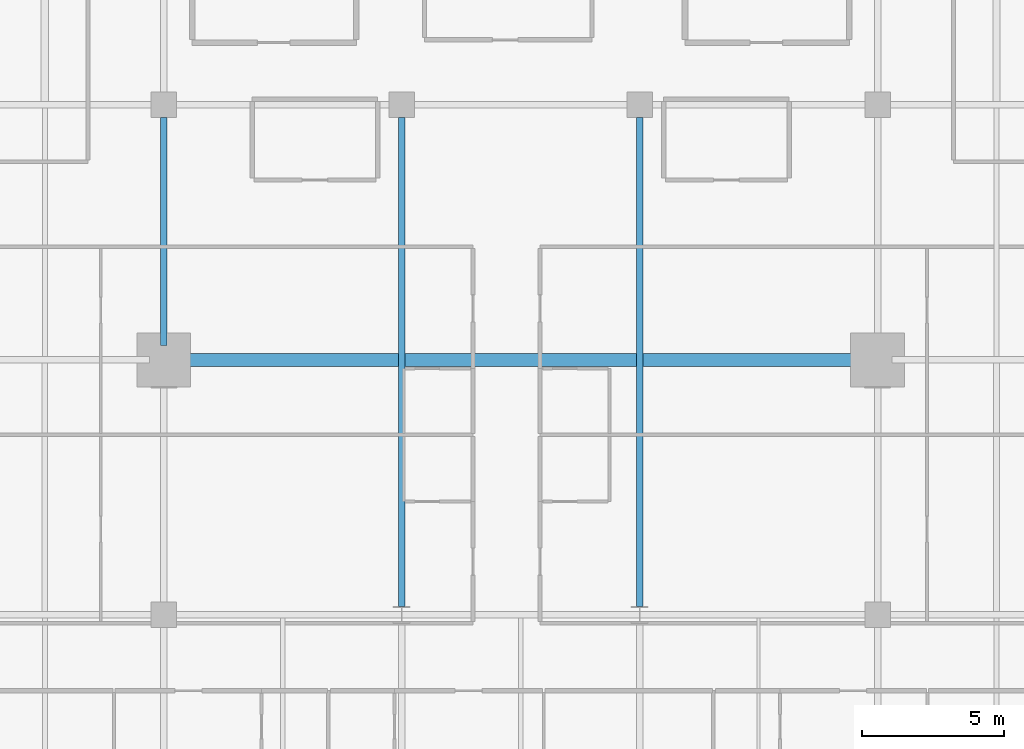
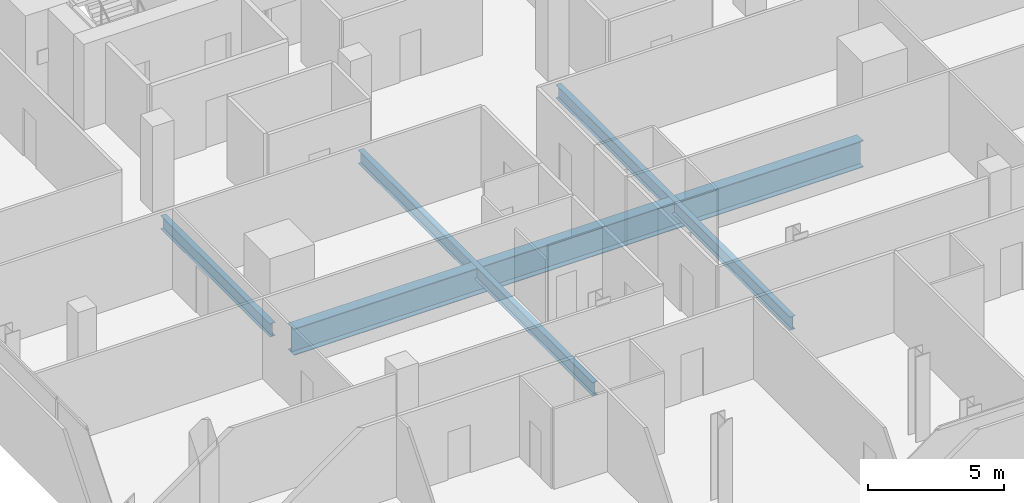
# One storey, part 11 of 32: 4 beams.
"""IFC4 building model written with IfcOpenShell, lengths in metres."""

from ifc_helpers import new_model, si_unit, direction, frame, origin, origin_2d, place, context, subcontext, project, spatial, i_section, extrude, material, material_profile, profile_set, type_object, element, save


model = new_model("IFC4")

# Units and contexts
model_context = context("Model", 3, precision=1e-05, world=origin(), true_north=direction((0.0, 1.0)))
body_context = subcontext(model_context, "Body", "Model", "MODEL_VIEW")
ifc_project = project(units=[si_unit("LENGTHUNIT", "METRE"), si_unit("AREAUNIT", "SQUARE_METRE"), si_unit("VOLUMEUNIT", "CUBIC_METRE"), si_unit("PLANEANGLEUNIT", "RADIAN"), si_unit("MASSUNIT", "GRAM", prefix="KILO")], contexts=[model_context])

# Site, building, storey
site_placement = place(None, origin())
site = spatial("IfcSite", under=ifc_project, at=site_placement, CompositionType="ELEMENT")
building_placement = place(site_placement, origin())
building = spatial("IfcBuilding", under=site, at=building_placement, Name="Maruvema Waterfront Hotel and Observation Tower", CompositionType="ELEMENT")
storey_placement = place(building_placement, frame((0.0, 0.0, 162.050048828125)))
storey = spatial("IfcBuildingStorey", under=building, at=storey_placement, Name="L39", CompositionType="ELEMENT", Elevation=162.050048828125)

# Beams
ifc_material_1 = material(Name="Steel ASTM A572 Grade 50", Category="steel")
ifc_material_profile_1 = material_profile(ifc_material_1, i_section(OverallWidth=0.22802734375, OverallDepth=0.60302734375, WebThickness=0.010498046875, FlangeThickness=0.014892578125, FilletRadius=0.01806640625, at=origin_2d()), Name="W610x101.0")
ifc_profile_set_1 = profile_set([ifc_material_profile_1], Name="Steel ASTM A572 Grade 50")
beam_type_1 = type_object("IfcBeamType", Name="Primary Floor Girder W610x101.0", PredefinedType="BEAM", material=ifc_profile_set_1)
beam_1_placement = place(storey_placement, frame((25.199951171875, 27.5, -0.54150390625), z_axis=(0.0, 1.0, 0.0), x_axis=(-1.0, 0.0, 0.0)))
element("IfcBeam", 1, at=beam_1_placement, inside=storey, type_object=beam_type_1, Name="L39 Floor Girder NS-12", PredefinedType="BEAM", context=body_context, shape_type="SweptSolid", body=[
    extrude(i_section(OverallWidth=0.22802734375, OverallDepth=0.60302734375, WebThickness=0.010498046875, FlangeThickness=0.014892578125, FilletRadius=0.01806640625, at=origin_2d()), origin(), (0.0, 0.0, 1.0), 8.050048828125),
])
for number, where, z_axis, x_axis, name in (
    (2, (33.60009765625, 18.300048828125, -0.54150390625), (0.0, 1.0, 0.0), (-1.0, 0.0, 0.0), "L39 Floor Girder NS-16"),
    (3, (42.0, 18.300048828125, -0.54150390625), (0.0, 1.0, 0.0), (-1.0, 0.0, 0.0), "L39 Floor Girder NS-19"),
):
    element("IfcBeam", number, at=place(storey_placement, frame(where, z_axis=z_axis, x_axis=x_axis)), inside=storey, type_object=beam_type_1, Name=name, PredefinedType="BEAM", context=body_context, shape_type="SweptSolid", body=[
        extrude(i_section(OverallWidth=0.22802734375, OverallDepth=0.60302734375, WebThickness=0.010498046875, FlangeThickness=0.014892578125, FilletRadius=0.01806640625, at=origin_2d()), origin(), (0.0, 0.0, 1.0), 17.25),
    ])
ifc_material_2 = material(Name="Steel ABNT NBR 7007 AR 415 (ASTM A572 Grade 50)", Category="steel")
ifc_material_profile_2 = material_profile(ifc_material_2, i_section(OverallWidth=0.449951171875, OverallDepth=1.199951171875, WebThickness=0.01904296875, FlangeThickness=0.031982421875, at=origin_2d()), Name="VS1200x366")
ifc_profile_set_2 = profile_set([ifc_material_profile_2], Name="Steel ABNT NBR 7007 AR 415 (ASTM A572 Grade 50)")
beam_type_2 = type_object("IfcBeamType", Name="Upper Setback Transfer Girder VS1200x366", PredefinedType="USERDEFINED", material=ifc_profile_set_2)
beam_2_placement = place(storey_placement, frame((25.699951171875, 27.0, -0.840087890625), z_axis=(1.0, 0.0, 0.0), x_axis=(0.0, 1.0, 0.0)))
element("IfcBeam", 4, at=beam_2_placement, inside=storey, type_object=beam_type_2, Name="L39 Floor Girder EW-20", ObjectType="TRANSFER GIRDER", PredefinedType="USERDEFINED", context=body_context, shape_type="SweptSolid", body=[
    extrude(i_section(OverallWidth=0.449951171875, OverallDepth=1.199951171875, WebThickness=0.01904296875, FlangeThickness=0.031982421875, at=origin_2d()), origin(), (0.0, 0.0, 1.0), 24.199951171875),
])

save(model, "model.ifc")
